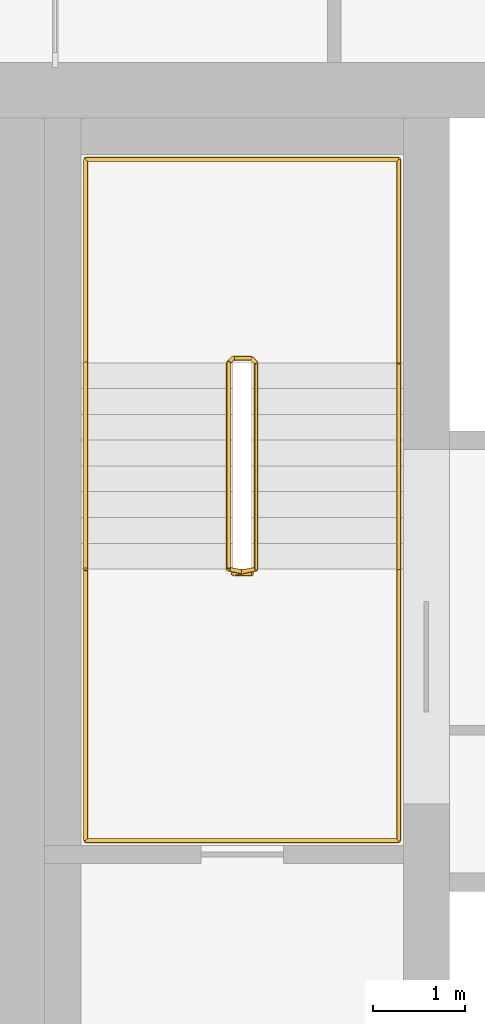
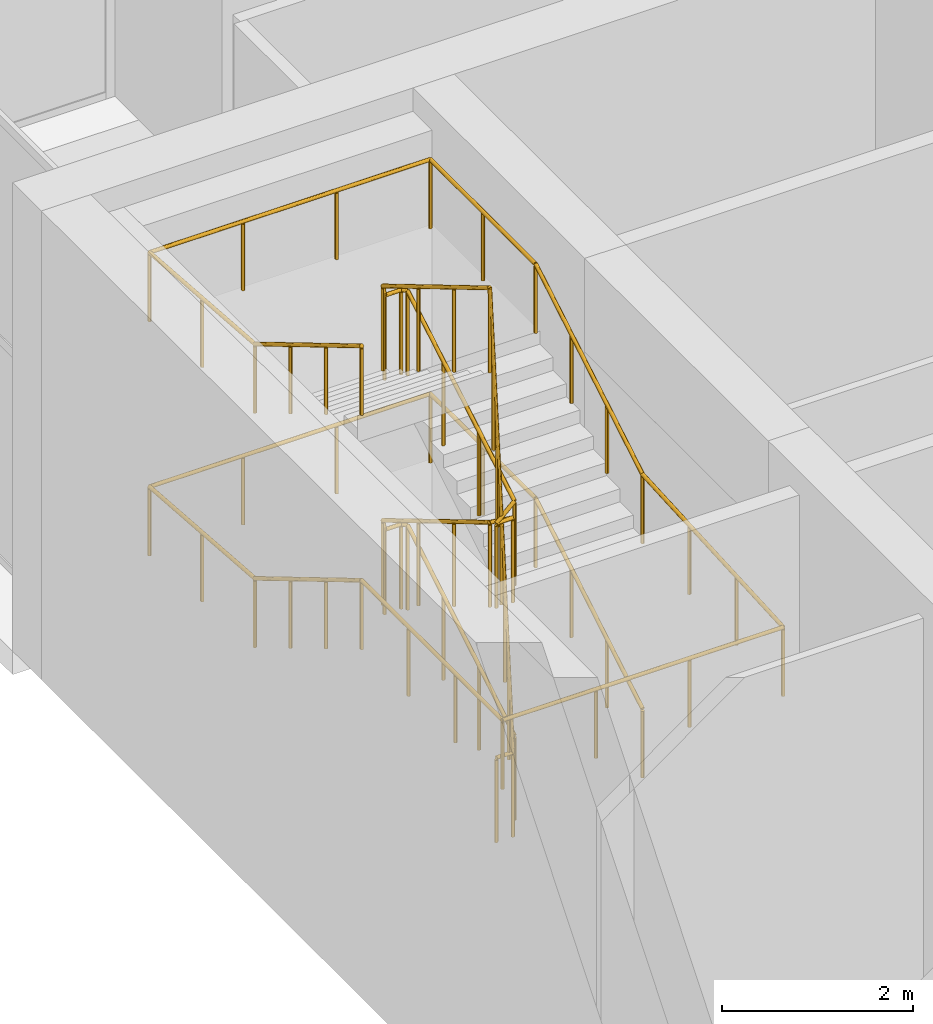
# One storey, part 15 of 15: 2 railings.
"""IFC4 building model written with IfcOpenShell, lengths in metres."""

from ifc_helpers import new_model, si_unit, direction, frame, origin, origin_2d, place, context, subcontext, project, spatial, circle, extrude, material, type_object, element, save


model = new_model("IFC4")

# Units and contexts
model_context = context("Model", 3, precision=1e-05, world=origin(), true_north=direction((0.0, 1.0)))
body_context = subcontext(model_context, "Body", "Model", "MODEL_VIEW")
ifc_project = project(units=[si_unit("LENGTHUNIT", "METRE"), si_unit("AREAUNIT", "SQUARE_METRE"), si_unit("VOLUMEUNIT", "CUBIC_METRE"), si_unit("PLANEANGLEUNIT", "RADIAN"), si_unit("MASSUNIT", "GRAM", prefix="KILO")], contexts=[model_context])

# Site, building, storey
site_placement = place(None, origin())
site = spatial("IfcSite", under=ifc_project, at=site_placement, CompositionType="ELEMENT")
building_placement = place(site_placement, origin())
building = spatial("IfcBuilding", under=site, at=building_placement, Name="Tamorin Gate", CompositionType="ELEMENT")
storey_placement = place(building_placement, frame((0.0, 0.0, 302.699951171875)))
storey = spatial("IfcBuildingStorey", under=building, at=storey_placement, Name="L75", CompositionType="ELEMENT", Elevation=302.699951171875)

# Railings
ifc_material_1 = material(Name="Painted steel balustrade", Category="steel")
railing_type_1 = type_object("IfcRailingType", Name="Stair guard 1100", PredefinedType="GUARDRAIL", material=ifc_material_1)
railing_1_placement = place(storey_placement, frame((32.89990234375, 77.0, 0.166748046875)))
element("IfcRailing", 1, at=railing_1_placement, inside=storey, type_object=railing_type_1, Name="L75 ST2 stair guard 1", PredefinedType="GUARDRAIL", context=body_context, shape_type="SweptSolid", body=[
    extrude(circle(Radius=0.02392578125, at=origin_2d()), frame((0.0, 0.0, 1.076171875), z_axis=(0.0, 0.859305625298, 0.511462454469), x_axis=(-1.0, 0.0, 0.0)), (0.0, 0.0, 1.0), 2.606689453125),
    extrude(circle(Radius=0.02392578125, at=origin_2d()), frame((0.0, 2.239990234375, 2.4091796875), z_axis=(-0.705375805398, 0.708833529934, 0.0), x_axis=(-0.708833529934, -0.705375805398, 0.0)), (0.0, 0.0, 1.0), 0.070556640625),
    extrude(circle(Radius=0.02392578125, at=origin_2d()), frame((-0.0498046875, 2.2900390625, 2.4091796875), z_axis=(-1.0, 0.0, 0.0), x_axis=(0.0, -1.0, 0.0)), (0.0, 0.0, 1.0), 0.2001953125),
    extrude(circle(Radius=0.02392578125, at=origin_2d()), frame((-0.25, 2.2900390625, 2.4091796875), z_axis=(-0.275041040955, -0.276389281352, 0.920848191041), x_axis=(0.708833529934, -0.705375805398, 0.0)), (0.0, 0.0, 1.0), 0.18115234375),
    extrude(circle(Radius=0.02392578125, at=origin_2d()), frame((-0.2998046875, 2.239990234375, 2.576171875), z_axis=(0.0, -0.859305625298, 0.511462454469), x_axis=(1.0, 0.0, 0.0)), (0.0, 0.0, 1.0), 2.606689453125),
    extrude(circle(Radius=0.02392578125, at=origin_2d()), frame((-0.2998046875, 0.0, 3.9091796875), z_axis=(0.98054382908, -0.196300278283, 0.0), x_axis=(0.196300278283, 0.98054382908, 0.0)), (0.0, 0.0, 1.0), 0.2548828125),
    extrude(circle(Radius=0.02392578125, at=origin_2d()), frame((-0.0498046875, -0.050048828125, 3.9091796875), z_axis=(-1.0, 0.0, 0.0), x_axis=(0.0, -1.0, 0.0)), (0.0, 0.0, 1.0), 0.2001953125),
    extrude(circle(Radius=0.02392578125, at=origin_2d()), frame((-0.25, -0.050048828125, 3.9091796875), z_axis=(0.820621892478, 0.164284656209, 0.547348391174), x_axis=(-0.196300278283, 0.98054382908, 0.0)), (0.0, 0.0, 1.0), 0.3046875),
    extrude(circle(Radius=0.02392578125, at=origin_2d()), frame((0.0, 0.0, 4.076171875), z_axis=(0.0, 0.859305625298, 0.511462454469), x_axis=(-1.0, 0.0, 0.0)), (0.0, 0.0, 1.0), 2.606689453125),
    extrude(circle(Radius=0.02392578125, at=origin_2d()), frame((0.0, 2.239990234375, 5.4091796875), z_axis=(-0.705375805398, 0.708833529934, 0.0), x_axis=(-0.708833529934, -0.705375805398, 0.0)), (0.0, 0.0, 1.0), 0.070556640625),
    extrude(circle(Radius=0.02392578125, at=origin_2d()), frame((-0.0498046875, 2.2900390625, 5.4091796875), z_axis=(-1.0, 0.0, 0.0), x_axis=(0.0, -1.0, 0.0)), (0.0, 0.0, 1.0), 0.2001953125),
    extrude(circle(Radius=0.02392578125, at=origin_2d()), frame((-0.25, 2.2900390625, 5.4091796875), z_axis=(-0.275041040955, -0.276389281352, 0.920848191041), x_axis=(0.708833529934, -0.705375805398, 0.0)), (0.0, 0.0, 1.0), 0.18115234375),
    extrude(circle(Radius=0.02392578125, at=origin_2d()), frame((-0.2998046875, 2.239990234375, 5.576171875), z_axis=(0.0, -0.859305625298, 0.511462454469), x_axis=(1.0, 0.0, 0.0)), (0.0, 0.0, 1.0), 2.606689453125),
    extrude(circle(Radius=0.02392578125, at=origin_2d()), frame((-0.2998046875, 0.0, 6.9091796875), z_axis=(0.041629098968, -0.008333950477, -0.999098375231), x_axis=(0.196300278283, 0.98054382908, 0.0)), (0.0, 0.0, 1.0), 6.00537109375),
    extrude(circle(Radius=0.02392578125, at=origin_2d()), frame((-0.0498046875, -0.050048828125, 0.9091796875), z_axis=(-1.0, 0.0, 0.0), x_axis=(0.0, -1.0, 0.0)), (0.0, 0.0, 1.0), 0.2001953125),
    extrude(circle(Radius=0.02099609375, at=origin_2d()), origin(), (0.0, 0.0, 1.0), 1.052001953125),
    extrude(circle(Radius=0.02099609375, at=origin_2d()), frame((0.0, 0.74658203125, 0.4443359375)), (0.0, 0.0, 1.0), 1.052001953125),
    extrude(circle(Radius=0.02099609375, at=origin_2d()), frame((0.0, 1.493408203125, 0.888916015625)), (0.0, 0.0, 1.0), 1.052001953125),
    extrude(circle(Radius=0.02099609375, at=origin_2d()), frame((0.0, 2.239990234375, 1.333251953125)), (0.0, 0.0, 1.0), 1.052001953125),
    extrude(circle(Radius=0.02099609375, at=origin_2d()), frame((-0.0498046875, 2.2900390625, 1.333251953125)), (0.0, 0.0, 1.0), 1.052001953125),
    extrude(circle(Radius=0.02099609375, at=origin_2d()), frame((-0.25, 2.2900390625, 1.333251953125)), (0.0, 0.0, 1.0), 1.052001953125),
    extrude(circle(Radius=0.02099609375, at=origin_2d()), frame((-0.2998046875, 2.239990234375, 1.5)), (0.0, 0.0, 1.0), 1.052001953125),
    extrude(circle(Radius=0.02099609375, at=origin_2d()), frame((-0.2998046875, 1.493408203125, 1.9443359375)), (0.0, 0.0, 1.0), 1.052001953125),
    extrude(circle(Radius=0.02099609375, at=origin_2d()), frame((-0.2998046875, 0.74658203125, 2.388916015625)), (0.0, 0.0, 1.0), 1.052001953125),
    extrude(circle(Radius=0.02099609375, at=origin_2d()), frame((-0.2998046875, 0.0, 2.833251953125)), (0.0, 0.0, 1.0), 1.052001953125),
    extrude(circle(Radius=0.02099609375, at=origin_2d()), frame((-0.0498046875, -0.050048828125, 2.833251953125)), (0.0, 0.0, 1.0), 1.052001953125),
    extrude(circle(Radius=0.02099609375, at=origin_2d()), frame((-0.25, -0.050048828125, 2.833251953125)), (0.0, 0.0, 1.0), 1.052001953125),
    extrude(circle(Radius=0.02099609375, at=origin_2d()), frame((0.0, 0.0, 3.0)), (0.0, 0.0, 1.0), 1.052001953125),
    extrude(circle(Radius=0.02099609375, at=origin_2d()), frame((0.0, 0.74658203125, 3.4443359375)), (0.0, 0.0, 1.0), 1.052001953125),
    extrude(circle(Radius=0.02099609375, at=origin_2d()), frame((0.0, 1.493408203125, 3.888916015625)), (0.0, 0.0, 1.0), 1.052001953125),
    extrude(circle(Radius=0.02099609375, at=origin_2d()), frame((0.0, 2.239990234375, 4.333251953125)), (0.0, 0.0, 1.0), 1.052001953125),
    extrude(circle(Radius=0.02099609375, at=origin_2d()), frame((-0.0498046875, 2.2900390625, 4.333251953125)), (0.0, 0.0, 1.0), 1.052001953125),
    extrude(circle(Radius=0.02099609375, at=origin_2d()), frame((-0.25, 2.2900390625, 4.333251953125)), (0.0, 0.0, 1.0), 1.052001953125),
    extrude(circle(Radius=0.02099609375, at=origin_2d()), frame((-0.2998046875, 2.239990234375, 4.5)), (0.0, 0.0, 1.0), 1.052001953125),
    extrude(circle(Radius=0.02099609375, at=origin_2d()), frame((-0.2998046875, 1.493408203125, 4.9443359375)), (0.0, 0.0, 1.0), 1.052001953125),
    extrude(circle(Radius=0.02099609375, at=origin_2d()), frame((-0.2998046875, 0.74658203125, 5.388916015625)), (0.0, 0.0, 1.0), 1.052001953125),
    extrude(circle(Radius=0.02099609375, at=origin_2d()), frame((-0.2998046875, 0.0, 5.833251953125)), (0.0, 0.0, 1.0), 1.052001953125),
    extrude(circle(Radius=0.02099609375, at=origin_2d()), frame((-0.258056640625, -0.00830078125, 4.833251953125)), (0.0, 0.0, 1.0), 1.052001953125),
    extrude(circle(Radius=0.02099609375, at=origin_2d()), frame((-0.216552734375, -0.0166015625, 3.833251953125)), (0.0, 0.0, 1.0), 1.052001953125),
    extrude(circle(Radius=0.02099609375, at=origin_2d()), frame((-0.1748046875, -0.02490234375, 2.833251953125)), (0.0, 0.0, 1.0), 1.052001953125),
    extrude(circle(Radius=0.02099609375, at=origin_2d()), frame((-0.133056640625, -0.033447265625, 1.833251953125)), (0.0, 0.0, 1.0), 1.052001953125),
    extrude(circle(Radius=0.02099609375, at=origin_2d()), frame((-0.091552734375, -0.041748046875, 0.833251953125)), (0.0, 0.0, 1.0), 1.052001953125),
    extrude(circle(Radius=0.02099609375, at=origin_2d()), frame((-0.0498046875, -0.050048828125, -0.166748046875)), (0.0, 0.0, 1.0), 1.052001953125),
    extrude(circle(Radius=0.02099609375, at=origin_2d()), frame((-0.25, -0.050048828125, -0.166748046875)), (0.0, 0.0, 1.0), 1.052001953125),
])
ifc_material_2 = material(Name="Painted steel handrail", Category="steel")
railing_type_2 = type_object("IfcRailingType", Name="Stair handrail 900", PredefinedType="HANDRAIL", material=ifc_material_2)
railing_2_placement = place(storey_placement, frame((34.449951171875, 77.0, 0.166748046875)))
element("IfcRailing", 2, at=railing_2_placement, inside=storey, type_object=railing_type_2, Name="L75 ST2 stair handrail 1", PredefinedType="HANDRAIL", context=body_context, shape_type="SweptSolid", body=[
    extrude(circle(Radius=0.02392578125, at=origin_2d()), frame((0.0, 0.0, 0.8759765625), z_axis=(0.0, 0.859305625298, 0.511462454469), x_axis=(-1.0, 0.0, 0.0)), (0.0, 0.0, 1.0), 2.606689453125),
    extrude(circle(Radius=0.02392578125, at=origin_2d()), frame((0.0, 2.239990234375, 2.208984375), z_axis=(0.0, 1.0, 0.0), x_axis=(-1.0, 0.0, 0.0)), (0.0, 0.0, 1.0), 2.2099609375),
    extrude(circle(Radius=0.02392578125, at=origin_2d()), frame((0.0, 4.449951171875, 2.208984375), z_axis=(-1.0, 0.0, 0.0), x_axis=(0.0, -1.0, 0.0)), (0.0, 0.0, 1.0), 3.39990234375),
    extrude(circle(Radius=0.02392578125, at=origin_2d()), frame((-3.39990234375, 4.449951171875, 2.208984375), z_axis=(0.0, -0.997165524118, 0.075239069042), x_axis=(1.0, 0.0, 0.0)), (0.0, 0.0, 1.0), 2.21630859375),
    extrude(circle(Radius=0.02392578125, at=origin_2d()), frame((-3.39990234375, 2.239990234375, 2.3759765625), z_axis=(0.0, -0.859305625298, 0.511462454469), x_axis=(1.0, 0.0, 0.0)), (0.0, 0.0, 1.0), 2.606689453125),
    extrude(circle(Radius=0.02392578125, at=origin_2d()), frame((-3.39990234375, 0.0, 3.708984375), z_axis=(0.0, -1.0, 0.0), x_axis=(1.0, 0.0, 0.0)), (0.0, 0.0, 1.0), 2.949951171875),
    extrude(circle(Radius=0.02392578125, at=origin_2d()), frame((-3.39990234375, -2.949951171875, 3.708984375), z_axis=(1.0, 0.0, 0.0), x_axis=(0.0, 1.0, 0.0)), (0.0, 0.0, 1.0), 3.39990234375),
    extrude(circle(Radius=0.02392578125, at=origin_2d()), frame((0.0, -2.949951171875, 3.708984375), z_axis=(0.0, 0.998406240989, 0.056435608921), x_axis=(-1.0, 0.0, 0.0)), (0.0, 0.0, 1.0), 2.95458984375),
    extrude(circle(Radius=0.02392578125, at=origin_2d()), frame((0.0, 0.0, 3.8759765625), z_axis=(0.0, 0.859305625298, 0.511462454469), x_axis=(-1.0, 0.0, 0.0)), (0.0, 0.0, 1.0), 2.606689453125),
    extrude(circle(Radius=0.02392578125, at=origin_2d()), frame((0.0, 2.239990234375, 5.208984375), z_axis=(0.0, 1.0, 0.0), x_axis=(-1.0, 0.0, 0.0)), (0.0, 0.0, 1.0), 2.2099609375),
    extrude(circle(Radius=0.02392578125, at=origin_2d()), frame((0.0, 4.449951171875, 5.208984375), z_axis=(-1.0, 0.0, 0.0), x_axis=(0.0, -1.0, 0.0)), (0.0, 0.0, 1.0), 3.39990234375),
    extrude(circle(Radius=0.02392578125, at=origin_2d()), frame((-3.39990234375, 4.449951171875, 5.208984375), z_axis=(0.0, -0.997165524118, 0.075239069042), x_axis=(1.0, 0.0, 0.0)), (0.0, 0.0, 1.0), 2.21630859375),
    extrude(circle(Radius=0.02392578125, at=origin_2d()), frame((-3.39990234375, 2.239990234375, 5.3759765625), z_axis=(0.0, -0.859305625298, 0.511462454469), x_axis=(1.0, 0.0, 0.0)), (0.0, 0.0, 1.0), 2.606689453125),
    extrude(circle(Radius=0.02099609375, at=origin_2d()), origin(), (0.0, 0.0, 1.0), 0.851806640625),
    extrude(circle(Radius=0.02099609375, at=origin_2d()), frame((0.0, 0.74658203125, 0.4443359375)), (0.0, 0.0, 1.0), 0.851806640625),
    extrude(circle(Radius=0.02099609375, at=origin_2d()), frame((0.0, 1.493408203125, 0.888916015625)), (0.0, 0.0, 1.0), 0.851806640625),
    extrude(circle(Radius=0.02099609375, at=origin_2d()), frame((0.0, 2.239990234375, 1.333251953125)), (0.0, 0.0, 1.0), 0.851806640625),
    extrude(circle(Radius=0.02099609375, at=origin_2d()), frame((0.0, 3.344970703125, 1.333251953125)), (0.0, 0.0, 1.0), 0.851806640625),
    extrude(circle(Radius=0.02099609375, at=origin_2d()), frame((0.0, 4.449951171875, 1.333251953125)), (0.0, 0.0, 1.0), 0.851806640625),
    extrude(circle(Radius=0.02099609375, at=origin_2d()), frame((-1.13330078125, 4.449951171875, 1.333251953125)), (0.0, 0.0, 1.0), 0.851806640625),
    extrude(circle(Radius=0.02099609375, at=origin_2d()), frame((-2.2666015625, 4.449951171875, 1.333251953125)), (0.0, 0.0, 1.0), 0.851806640625),
    extrude(circle(Radius=0.02099609375, at=origin_2d()), frame((-3.39990234375, 4.449951171875, 1.333251953125)), (0.0, 0.0, 1.0), 0.851806640625),
    extrude(circle(Radius=0.02099609375, at=origin_2d()), frame((-3.39990234375, 3.344970703125, 1.41650390625)), (0.0, 0.0, 1.0), 0.851806640625),
    extrude(circle(Radius=0.02099609375, at=origin_2d()), frame((-3.39990234375, 2.239990234375, 1.5)), (0.0, 0.0, 1.0), 0.851806640625),
    extrude(circle(Radius=0.02099609375, at=origin_2d()), frame((-3.39990234375, 1.493408203125, 1.9443359375)), (0.0, 0.0, 1.0), 0.851806640625),
    extrude(circle(Radius=0.02099609375, at=origin_2d()), frame((-3.39990234375, 0.74658203125, 2.388916015625)), (0.0, 0.0, 1.0), 0.851806640625),
    extrude(circle(Radius=0.02099609375, at=origin_2d()), frame((-3.39990234375, 0.0, 2.833251953125)), (0.0, 0.0, 1.0), 0.851806640625),
    extrude(circle(Radius=0.02099609375, at=origin_2d()), frame((-3.39990234375, -0.9833984375, 2.833251953125)), (0.0, 0.0, 1.0), 0.851806640625),
    extrude(circle(Radius=0.02099609375, at=origin_2d()), frame((-3.39990234375, -1.966552734375, 2.833251953125)), (0.0, 0.0, 1.0), 0.851806640625),
    extrude(circle(Radius=0.02099609375, at=origin_2d()), frame((-3.39990234375, -2.949951171875, 2.833251953125)), (0.0, 0.0, 1.0), 0.851806640625),
    extrude(circle(Radius=0.02099609375, at=origin_2d()), frame((-2.2666015625, -2.949951171875, 2.833251953125)), (0.0, 0.0, 1.0), 0.851806640625),
    extrude(circle(Radius=0.02099609375, at=origin_2d()), frame((-1.13330078125, -2.949951171875, 2.833251953125)), (0.0, 0.0, 1.0), 0.851806640625),
    extrude(circle(Radius=0.02099609375, at=origin_2d()), frame((0.0, -2.949951171875, 2.833251953125)), (0.0, 0.0, 1.0), 0.851806640625),
    extrude(circle(Radius=0.02099609375, at=origin_2d()), frame((0.0, -1.966552734375, 2.888916015625)), (0.0, 0.0, 1.0), 0.851806640625),
    extrude(circle(Radius=0.02099609375, at=origin_2d()), frame((0.0, -0.9833984375, 2.9443359375)), (0.0, 0.0, 1.0), 0.851806640625),
    extrude(circle(Radius=0.02099609375, at=origin_2d()), frame((0.0, 0.0, 3.0)), (0.0, 0.0, 1.0), 0.851806640625),
    extrude(circle(Radius=0.02099609375, at=origin_2d()), frame((0.0, 0.74658203125, 3.4443359375)), (0.0, 0.0, 1.0), 0.851806640625),
    extrude(circle(Radius=0.02099609375, at=origin_2d()), frame((0.0, 1.493408203125, 3.888916015625)), (0.0, 0.0, 1.0), 0.851806640625),
    extrude(circle(Radius=0.02099609375, at=origin_2d()), frame((0.0, 2.239990234375, 4.333251953125)), (0.0, 0.0, 1.0), 0.851806640625),
    extrude(circle(Radius=0.02099609375, at=origin_2d()), frame((0.0, 3.344970703125, 4.333251953125)), (0.0, 0.0, 1.0), 0.851806640625),
    extrude(circle(Radius=0.02099609375, at=origin_2d()), frame((0.0, 4.449951171875, 4.333251953125)), (0.0, 0.0, 1.0), 0.851806640625),
    extrude(circle(Radius=0.02099609375, at=origin_2d()), frame((-1.13330078125, 4.449951171875, 4.333251953125)), (0.0, 0.0, 1.0), 0.851806640625),
    extrude(circle(Radius=0.02099609375, at=origin_2d()), frame((-2.2666015625, 4.449951171875, 4.333251953125)), (0.0, 0.0, 1.0), 0.851806640625),
    extrude(circle(Radius=0.02099609375, at=origin_2d()), frame((-3.39990234375, 4.449951171875, 4.333251953125)), (0.0, 0.0, 1.0), 0.851806640625),
    extrude(circle(Radius=0.02099609375, at=origin_2d()), frame((-3.39990234375, 3.344970703125, 4.41650390625)), (0.0, 0.0, 1.0), 0.851806640625),
    extrude(circle(Radius=0.02099609375, at=origin_2d()), frame((-3.39990234375, 2.239990234375, 4.5)), (0.0, 0.0, 1.0), 0.851806640625),
    extrude(circle(Radius=0.02099609375, at=origin_2d()), frame((-3.39990234375, 1.493408203125, 4.9443359375)), (0.0, 0.0, 1.0), 0.851806640625),
    extrude(circle(Radius=0.02099609375, at=origin_2d()), frame((-3.39990234375, 0.74658203125, 5.388916015625)), (0.0, 0.0, 1.0), 0.851806640625),
    extrude(circle(Radius=0.02099609375, at=origin_2d()), frame((-3.39990234375, 0.0, 5.833251953125)), (0.0, 0.0, 1.0), 0.851806640625),
])

save(model, "model.ifc")
